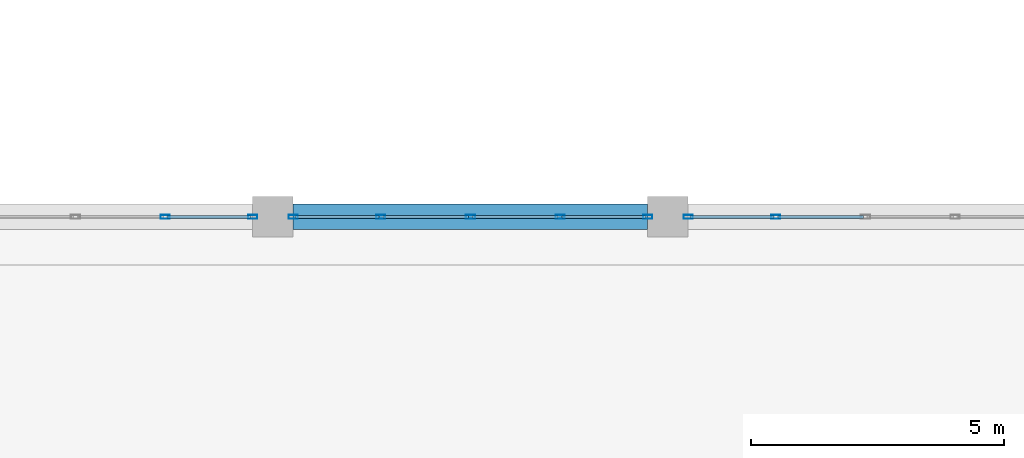
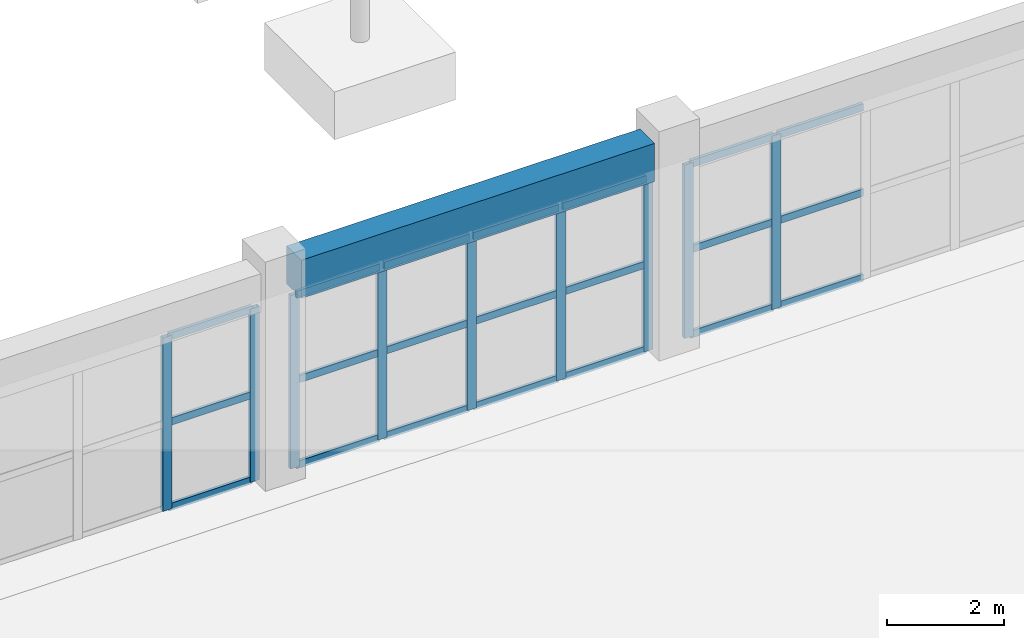
# One storey, part 25 of 139: 30 members, 1 beam, 3 elements without a shape of their own.
"""IFC4 building model written with IfcOpenShell, lengths in metres."""

from ifc_helpers import new_model, si_unit, direction, frame, origin, origin_2d, place, context, subcontext, project, spatial, rectangle, hollow_rectangle, extrude, material, layer, layer_set, material_profile, profile_set, type_object, element, aggregate, save


model = new_model("IFC4")

# Units and contexts
model_context = context("Model", 3, precision=1e-05, world=origin(), true_north=direction((0.0, 1.0)))
body_context = subcontext(model_context, "Body", "Model", "MODEL_VIEW")
ifc_project = project(units=[si_unit("LENGTHUNIT", "METRE"), si_unit("AREAUNIT", "SQUARE_METRE"), si_unit("VOLUMEUNIT", "CUBIC_METRE"), si_unit("PLANEANGLEUNIT", "RADIAN"), si_unit("MASSUNIT", "GRAM", prefix="KILO")], contexts=[model_context])

# Site, building, storey
site_placement = place(None, origin())
site = spatial("IfcSite", under=ifc_project, at=site_placement, CompositionType="ELEMENT")
building_placement = place(site_placement, origin())
building = spatial("IfcBuilding", under=site, at=building_placement, Name="Zizhar Promenade General Hospital", CompositionType="ELEMENT")
storey_placement = place(building_placement, origin())
storey = spatial("IfcBuildingStorey", under=building, at=storey_placement, Name="L00", CompositionType="ELEMENT", Elevation=0.0)

# Beam
ifc_material_1 = material(Name="Concrete C35/45", Category="concrete")
ifc_material_profile_1 = material_profile(ifc_material_1, rectangle(XDim=0.5, YDim=0.800048828125, at=origin_2d()))
ifc_profile_set_1 = profile_set([ifc_material_profile_1], Name="Concrete C35/45")
beam_type = type_object("IfcBeamType", Name="BM-RC-500x800", PredefinedType="BEAM", material=ifc_profile_set_1)
beam_placement = place(storey_placement, frame((78.39990234375, 50.39990234375, 4.070068359375), z_axis=(1.0, 0.0, 0.0), x_axis=(0.0, 1.0, 0.0)))
element("IfcBeam", 1, at=beam_placement, inside=storey, type_object=beam_type, Name="Grid Beam X L00 (10-6)", PredefinedType="BEAM", context=body_context, shape_type="SweptSolid", body=[
    extrude(rectangle(XDim=0.5, YDim=0.800048828125, at=origin_2d()), origin(), (0.0, 0.0, 1.0), 7.0),
])

# Curtain wall, members
ifc_material_2 = material(Name="Anodised aluminium 6063-T6 and low-E glass", Category="aluminium")
ifc_layer = layer(ifc_material_2, 0.159912109375)
ifc_layer_set = layer_set([ifc_layer], Name="Anodised aluminium 6063-T6 and low-E glass")
curtain_wall_type = type_object("IfcCurtainWallType", Name="CW-HALL-N", PredefinedType="NOTDEFINED", material=ifc_layer_set)
curtain_wall_1_placement = place(storey_placement, origin())
curtain_wall_1 = element("IfcCurtainWall", 2, at=curtain_wall_1_placement, inside=storey, type_object=curtain_wall_type, Name="Main Hall Courtyard Curtain Wall L00-9", PredefinedType="NOTDEFINED")
ifc_material_3 = material(Name="Anodised aluminium 6063-T6", Category="aluminium")
ifc_material_profile_2 = material_profile(ifc_material_3, hollow_rectangle(XDim=0.080078125, YDim=0.179931640625, WallThickness=0.0048828125, at=origin_2d()))
ifc_profile_set_2 = profile_set([ifc_material_profile_2], Name="Anodised aluminium 6063-T6")
member_type_1 = type_object("IfcMemberType", Name="CWM-ALU-180x80", PredefinedType="MULLION", material=ifc_profile_set_2)
member_1_placement = place(storey_placement, frame((75.8701171875, 50.39990234375, 0.0), z_axis=(0.0, 0.0, 1.0), x_axis=(0.0, 1.0, 0.0)))
member_1 = element("IfcMember", 3, at=member_1_placement, type_object=member_type_1, Name="CW-02 mullion 4", PredefinedType="MULLION", context=body_context, shape_type="SweptSolid", body=[
    extrude(hollow_rectangle(XDim=0.080078125, YDim=0.179931640625, WallThickness=0.0048828125, at=origin_2d()), origin(), (0.0, 0.0, 1.0), 3.6298828125),
])
member_2_placement = place(storey_placement, frame((77.60009765625, 50.39990234375, 0.0), z_axis=(0.0, 0.0, 1.0), x_axis=(0.0, 1.0, 0.0)))
member_2 = element("IfcMember", 4, at=member_2_placement, type_object=member_type_1, Name="CW-02 mullion 5", PredefinedType="MULLION", context=body_context, shape_type="SweptSolid", body=[
    extrude(hollow_rectangle(XDim=0.080078125, YDim=0.179931640625, WallThickness=0.0048828125, at=origin_2d()), origin(), (0.0, 0.0, 1.0), 3.6298828125),
])

curtain_wall_2_placement = place(storey_placement, origin())
curtain_wall_2 = element("IfcCurtainWall", 5, at=curtain_wall_2_placement, inside=storey, type_object=curtain_wall_type, Name="Main Hall Courtyard Curtain Wall L00-10", PredefinedType="NOTDEFINED")
member_3_placement = place(storey_placement, frame((78.39990234375, 50.39990234375, 0.0), z_axis=(0.0, 0.0, 1.0), x_axis=(0.0, 1.0, 0.0)))
member_3 = element("IfcMember", 6, at=member_3_placement, type_object=member_type_1, Name="CW-02 mullion 1", PredefinedType="MULLION", context=body_context, shape_type="SweptSolid", body=[
    extrude(hollow_rectangle(XDim=0.080078125, YDim=0.179931640625, WallThickness=0.0048828125, at=origin_2d()), origin(), (0.0, 0.0, 1.0), 3.6298828125),
])
member_4_placement = place(storey_placement, frame((80.1298828125, 50.39990234375, 0.0), z_axis=(0.0, 0.0, 1.0), x_axis=(0.0, 1.0, 0.0)))
member_4 = element("IfcMember", 7, at=member_4_placement, type_object=member_type_1, Name="CW-02 mullion 2", PredefinedType="MULLION", context=body_context, shape_type="SweptSolid", body=[
    extrude(hollow_rectangle(XDim=0.080078125, YDim=0.179931640625, WallThickness=0.0048828125, at=origin_2d()), origin(), (0.0, 0.0, 1.0), 3.6298828125),
])
member_5_placement = place(storey_placement, frame((81.89990234375, 50.39990234375, 0.0), z_axis=(0.0, 0.0, 1.0), x_axis=(0.0, 1.0, 0.0)))
member_5 = element("IfcMember", 8, at=member_5_placement, type_object=member_type_1, Name="CW-02 mullion 3", PredefinedType="MULLION", context=body_context, shape_type="SweptSolid", body=[
    extrude(hollow_rectangle(XDim=0.080078125, YDim=0.179931640625, WallThickness=0.0048828125, at=origin_2d()), origin(), (0.0, 0.0, 1.0), 3.6298828125),
])
member_6_placement = place(storey_placement, frame((83.669921875, 50.39990234375, 0.0), z_axis=(0.0, 0.0, 1.0), x_axis=(0.0, 1.0, 0.0)))
member_6 = element("IfcMember", 9, at=member_6_placement, type_object=member_type_1, Name="CW-02 mullion 4", PredefinedType="MULLION", context=body_context, shape_type="SweptSolid", body=[
    extrude(hollow_rectangle(XDim=0.080078125, YDim=0.179931640625, WallThickness=0.0048828125, at=origin_2d()), origin(), (0.0, 0.0, 1.0), 3.6298828125),
])
member_7_placement = place(storey_placement, frame((85.39990234375, 50.39990234375, 0.0), z_axis=(0.0, 0.0, 1.0), x_axis=(0.0, 1.0, 0.0)))
member_7 = element("IfcMember", 10, at=member_7_placement, type_object=member_type_1, Name="CW-02 mullion 5", PredefinedType="MULLION", context=body_context, shape_type="SweptSolid", body=[
    extrude(hollow_rectangle(XDim=0.080078125, YDim=0.179931640625, WallThickness=0.0048828125, at=origin_2d()), origin(), (0.0, 0.0, 1.0), 3.6298828125),
])

curtain_wall_3_placement = place(storey_placement, origin())
curtain_wall_3 = element("IfcCurtainWall", 11, at=curtain_wall_3_placement, inside=storey, type_object=curtain_wall_type, Name="Main Hall Courtyard Curtain Wall L00-11", PredefinedType="NOTDEFINED")
member_8_placement = place(storey_placement, frame((86.199951171875, 50.39990234375, 0.0), z_axis=(0.0, 0.0, 1.0), x_axis=(0.0, 1.0, 0.0)))
member_8 = element("IfcMember", 12, at=member_8_placement, type_object=member_type_1, Name="CW-02 mullion 1", PredefinedType="MULLION", context=body_context, shape_type="SweptSolid", body=[
    extrude(hollow_rectangle(XDim=0.080078125, YDim=0.179931640625, WallThickness=0.0048828125, at=origin_2d()), origin(), (0.0, 0.0, 1.0), 3.6298828125),
])
member_9_placement = place(storey_placement, frame((87.929931640625, 50.39990234375, 0.0), z_axis=(0.0, 0.0, 1.0), x_axis=(0.0, 1.0, 0.0)))
member_9 = element("IfcMember", 13, at=member_9_placement, type_object=member_type_1, Name="CW-02 mullion 2", PredefinedType="MULLION", context=body_context, shape_type="SweptSolid", body=[
    extrude(hollow_rectangle(XDim=0.080078125, YDim=0.179931640625, WallThickness=0.0048828125, at=origin_2d()), origin(), (0.0, 0.0, 1.0), 3.6298828125),
])

# Member
ifc_material_4 = material(Name="Anodised aluminium 6063-T6", Category="aluminium")
ifc_material_profile_3 = material_profile(ifc_material_4, hollow_rectangle(XDim=0.06005859375, YDim=0.14990234375, WallThickness=0.00390625, at=origin_2d()))
ifc_profile_set_3 = profile_set([ifc_material_profile_3], Name="Anodised aluminium 6063-T6")
member_type_2 = type_object("IfcMemberType", Name="CWT-ALU-150x60", PredefinedType="USERDEFINED", material=ifc_profile_set_3)
member_10_placement = place(storey_placement, frame((75.909912109375, 50.39990234375, 0.030029296875), z_axis=(1.0, 0.0, 0.0), x_axis=(0.0, 1.0, 0.0)))
member_10 = element("IfcMember", 14, at=member_10_placement, type_object=member_type_2, Name="CW-02 transom 4.1", ObjectType="TRANSOM", PredefinedType="USERDEFINED", context=body_context, shape_type="SweptSolid", body=[
    extrude(hollow_rectangle(XDim=0.06005859375, YDim=0.14990234375, WallThickness=0.00390625, at=origin_2d()), origin(), (0.0, 0.0, 1.0), 1.650146484375),
])

member_11_placement = place(storey_placement, frame((75.909912109375, 50.39990234375, 1.81494140625), z_axis=(1.0, 0.0, 0.0), x_axis=(0.0, 1.0, 0.0)))
member_11 = element("IfcMember", 15, at=member_11_placement, type_object=member_type_2, Name="CW-02 transom 4.2", ObjectType="TRANSOM", PredefinedType="USERDEFINED", context=body_context, shape_type="SweptSolid", body=[
    extrude(hollow_rectangle(XDim=0.06005859375, YDim=0.14990234375, WallThickness=0.00390625, at=origin_2d()), origin(), (0.0, 0.0, 1.0), 1.650146484375),
])

member_12_placement = place(storey_placement, frame((75.909912109375, 50.39990234375, 3.60009765625), z_axis=(1.0, 0.0, 0.0), x_axis=(0.0, 1.0, 0.0)))
member_12 = element("IfcMember", 16, at=member_12_placement, type_object=member_type_2, Name="CW-02 transom 4.3", ObjectType="TRANSOM", PredefinedType="USERDEFINED", context=body_context, shape_type="SweptSolid", body=[
    extrude(hollow_rectangle(XDim=0.06005859375, YDim=0.14990234375, WallThickness=0.00390625, at=origin_2d()), origin(), (0.0, 0.0, 1.0), 1.650146484375),
])

aggregate(curtain_wall_1, [member_1, member_2, member_10, member_11, member_12])

member_13_placement = place(storey_placement, frame((78.43994140625, 50.39990234375, 0.030029296875), z_axis=(1.0, 0.0, 0.0), x_axis=(0.0, 1.0, 0.0)))
member_13 = element("IfcMember", 17, at=member_13_placement, type_object=member_type_2, Name="CW-02 transom 1.1", ObjectType="TRANSOM", PredefinedType="USERDEFINED", context=body_context, shape_type="SweptSolid", body=[
    extrude(hollow_rectangle(XDim=0.06005859375, YDim=0.14990234375, WallThickness=0.00390625, at=origin_2d()), origin(), (0.0, 0.0, 1.0), 1.650146484375),
])

member_14_placement = place(storey_placement, frame((78.43994140625, 50.39990234375, 1.81494140625), z_axis=(1.0, 0.0, 0.0), x_axis=(0.0, 1.0, 0.0)))
member_14 = element("IfcMember", 18, at=member_14_placement, type_object=member_type_2, Name="CW-02 transom 1.2", ObjectType="TRANSOM", PredefinedType="USERDEFINED", context=body_context, shape_type="SweptSolid", body=[
    extrude(hollow_rectangle(XDim=0.06005859375, YDim=0.14990234375, WallThickness=0.00390625, at=origin_2d()), origin(), (0.0, 0.0, 1.0), 1.650146484375),
])

member_15_placement = place(storey_placement, frame((78.43994140625, 50.39990234375, 3.60009765625), z_axis=(1.0, 0.0, 0.0), x_axis=(0.0, 1.0, 0.0)))
member_15 = element("IfcMember", 19, at=member_15_placement, type_object=member_type_2, Name="CW-02 transom 1.3", ObjectType="TRANSOM", PredefinedType="USERDEFINED", context=body_context, shape_type="SweptSolid", body=[
    extrude(hollow_rectangle(XDim=0.06005859375, YDim=0.14990234375, WallThickness=0.00390625, at=origin_2d()), origin(), (0.0, 0.0, 1.0), 1.650146484375),
])

member_16_placement = place(storey_placement, frame((80.169921875, 50.39990234375, 0.030029296875), z_axis=(1.0, 0.0, 0.0), x_axis=(0.0, 1.0, 0.0)))
member_16 = element("IfcMember", 20, at=member_16_placement, type_object=member_type_2, Name="CW-02 transom 2.1", ObjectType="TRANSOM", PredefinedType="USERDEFINED", context=body_context, shape_type="SweptSolid", body=[
    extrude(hollow_rectangle(XDim=0.06005859375, YDim=0.14990234375, WallThickness=0.00390625, at=origin_2d()), origin(), (0.0, 0.0, 1.0), 1.690185546875),
])

member_17_placement = place(storey_placement, frame((80.169921875, 50.39990234375, 1.81494140625), z_axis=(1.0, 0.0, 0.0), x_axis=(0.0, 1.0, 0.0)))
member_17 = element("IfcMember", 21, at=member_17_placement, type_object=member_type_2, Name="CW-02 transom 2.2", ObjectType="TRANSOM", PredefinedType="USERDEFINED", context=body_context, shape_type="SweptSolid", body=[
    extrude(hollow_rectangle(XDim=0.06005859375, YDim=0.14990234375, WallThickness=0.00390625, at=origin_2d()), origin(), (0.0, 0.0, 1.0), 1.690185546875),
])

member_18_placement = place(storey_placement, frame((80.169921875, 50.39990234375, 3.60009765625), z_axis=(1.0, 0.0, 0.0), x_axis=(0.0, 1.0, 0.0)))
member_18 = element("IfcMember", 22, at=member_18_placement, type_object=member_type_2, Name="CW-02 transom 2.3", ObjectType="TRANSOM", PredefinedType="USERDEFINED", context=body_context, shape_type="SweptSolid", body=[
    extrude(hollow_rectangle(XDim=0.06005859375, YDim=0.14990234375, WallThickness=0.00390625, at=origin_2d()), origin(), (0.0, 0.0, 1.0), 1.690185546875),
])

member_19_placement = place(storey_placement, frame((81.93994140625, 50.39990234375, 0.030029296875), z_axis=(1.0, 0.0, 0.0), x_axis=(0.0, 1.0, 0.0)))
member_19 = element("IfcMember", 23, at=member_19_placement, type_object=member_type_2, Name="CW-02 transom 3.1", ObjectType="TRANSOM", PredefinedType="USERDEFINED", context=body_context, shape_type="SweptSolid", body=[
    extrude(hollow_rectangle(XDim=0.06005859375, YDim=0.14990234375, WallThickness=0.00390625, at=origin_2d()), origin(), (0.0, 0.0, 1.0), 1.68994140625),
])

member_20_placement = place(storey_placement, frame((81.93994140625, 50.39990234375, 1.81494140625), z_axis=(1.0, 0.0, 0.0), x_axis=(0.0, 1.0, 0.0)))
member_20 = element("IfcMember", 24, at=member_20_placement, type_object=member_type_2, Name="CW-02 transom 3.2", ObjectType="TRANSOM", PredefinedType="USERDEFINED", context=body_context, shape_type="SweptSolid", body=[
    extrude(hollow_rectangle(XDim=0.06005859375, YDim=0.14990234375, WallThickness=0.00390625, at=origin_2d()), origin(), (0.0, 0.0, 1.0), 1.68994140625),
])

member_21_placement = place(storey_placement, frame((81.93994140625, 50.39990234375, 3.60009765625), z_axis=(1.0, 0.0, 0.0), x_axis=(0.0, 1.0, 0.0)))
member_21 = element("IfcMember", 25, at=member_21_placement, type_object=member_type_2, Name="CW-02 transom 3.3", ObjectType="TRANSOM", PredefinedType="USERDEFINED", context=body_context, shape_type="SweptSolid", body=[
    extrude(hollow_rectangle(XDim=0.06005859375, YDim=0.14990234375, WallThickness=0.00390625, at=origin_2d()), origin(), (0.0, 0.0, 1.0), 1.68994140625),
])

member_22_placement = place(storey_placement, frame((83.7099609375, 50.39990234375, 0.030029296875), z_axis=(1.0, 0.0, 0.0), x_axis=(0.0, 1.0, 0.0)))
member_22 = element("IfcMember", 26, at=member_22_placement, type_object=member_type_2, Name="CW-02 transom 4.1", ObjectType="TRANSOM", PredefinedType="USERDEFINED", context=body_context, shape_type="SweptSolid", body=[
    extrude(hollow_rectangle(XDim=0.06005859375, YDim=0.14990234375, WallThickness=0.00390625, at=origin_2d()), origin(), (0.0, 0.0, 1.0), 1.650146484375),
])

member_23_placement = place(storey_placement, frame((83.7099609375, 50.39990234375, 1.81494140625), z_axis=(1.0, 0.0, 0.0), x_axis=(0.0, 1.0, 0.0)))
member_23 = element("IfcMember", 27, at=member_23_placement, type_object=member_type_2, Name="CW-02 transom 4.2", ObjectType="TRANSOM", PredefinedType="USERDEFINED", context=body_context, shape_type="SweptSolid", body=[
    extrude(hollow_rectangle(XDim=0.06005859375, YDim=0.14990234375, WallThickness=0.00390625, at=origin_2d()), origin(), (0.0, 0.0, 1.0), 1.650146484375),
])

member_24_placement = place(storey_placement, frame((83.7099609375, 50.39990234375, 3.60009765625), z_axis=(1.0, 0.0, 0.0), x_axis=(0.0, 1.0, 0.0)))
member_24 = element("IfcMember", 28, at=member_24_placement, type_object=member_type_2, Name="CW-02 transom 4.3", ObjectType="TRANSOM", PredefinedType="USERDEFINED", context=body_context, shape_type="SweptSolid", body=[
    extrude(hollow_rectangle(XDim=0.06005859375, YDim=0.14990234375, WallThickness=0.00390625, at=origin_2d()), origin(), (0.0, 0.0, 1.0), 1.650146484375),
])

aggregate(curtain_wall_2, [member_3, member_4, member_5, member_6, member_7, member_13, member_14, member_15, member_16, member_17, member_18, member_19, member_20, member_21, member_22, member_23, member_24])

member_25_placement = place(storey_placement, frame((86.239990234375, 50.39990234375, 0.030029296875), z_axis=(1.0, 0.0, 0.0), x_axis=(0.0, 1.0, 0.0)))
member_25 = element("IfcMember", 29, at=member_25_placement, type_object=member_type_2, Name="CW-02 transom 1.1", ObjectType="TRANSOM", PredefinedType="USERDEFINED", context=body_context, shape_type="SweptSolid", body=[
    extrude(hollow_rectangle(XDim=0.06005859375, YDim=0.14990234375, WallThickness=0.00390625, at=origin_2d()), origin(), (0.0, 0.0, 1.0), 1.64990234375),
])

member_26_placement = place(storey_placement, frame((86.239990234375, 50.39990234375, 1.81494140625), z_axis=(1.0, 0.0, 0.0), x_axis=(0.0, 1.0, 0.0)))
member_26 = element("IfcMember", 30, at=member_26_placement, type_object=member_type_2, Name="CW-02 transom 1.2", ObjectType="TRANSOM", PredefinedType="USERDEFINED", context=body_context, shape_type="SweptSolid", body=[
    extrude(hollow_rectangle(XDim=0.06005859375, YDim=0.14990234375, WallThickness=0.00390625, at=origin_2d()), origin(), (0.0, 0.0, 1.0), 1.64990234375),
])

member_27_placement = place(storey_placement, frame((86.239990234375, 50.39990234375, 3.60009765625), z_axis=(1.0, 0.0, 0.0), x_axis=(0.0, 1.0, 0.0)))
member_27 = element("IfcMember", 31, at=member_27_placement, type_object=member_type_2, Name="CW-02 transom 1.3", ObjectType="TRANSOM", PredefinedType="USERDEFINED", context=body_context, shape_type="SweptSolid", body=[
    extrude(hollow_rectangle(XDim=0.06005859375, YDim=0.14990234375, WallThickness=0.00390625, at=origin_2d()), origin(), (0.0, 0.0, 1.0), 1.64990234375),
])

member_28_placement = place(storey_placement, frame((87.969970703125, 50.39990234375, 0.030029296875), z_axis=(1.0, 0.0, 0.0), x_axis=(0.0, 1.0, 0.0)))
member_28 = element("IfcMember", 32, at=member_28_placement, type_object=member_type_2, Name="CW-02 transom 2.1", ObjectType="TRANSOM", PredefinedType="USERDEFINED", context=body_context, shape_type="SweptSolid", body=[
    extrude(hollow_rectangle(XDim=0.06005859375, YDim=0.14990234375, WallThickness=0.00390625, at=origin_2d()), origin(), (0.0, 0.0, 1.0), 1.68994140625),
])

member_29_placement = place(storey_placement, frame((87.969970703125, 50.39990234375, 1.81494140625), z_axis=(1.0, 0.0, 0.0), x_axis=(0.0, 1.0, 0.0)))
member_29 = element("IfcMember", 33, at=member_29_placement, type_object=member_type_2, Name="CW-02 transom 2.2", ObjectType="TRANSOM", PredefinedType="USERDEFINED", context=body_context, shape_type="SweptSolid", body=[
    extrude(hollow_rectangle(XDim=0.06005859375, YDim=0.14990234375, WallThickness=0.00390625, at=origin_2d()), origin(), (0.0, 0.0, 1.0), 1.68994140625),
])

member_30_placement = place(storey_placement, frame((87.969970703125, 50.39990234375, 3.60009765625), z_axis=(1.0, 0.0, 0.0), x_axis=(0.0, 1.0, 0.0)))
member_30 = element("IfcMember", 34, at=member_30_placement, type_object=member_type_2, Name="CW-02 transom 2.3", ObjectType="TRANSOM", PredefinedType="USERDEFINED", context=body_context, shape_type="SweptSolid", body=[
    extrude(hollow_rectangle(XDim=0.06005859375, YDim=0.14990234375, WallThickness=0.00390625, at=origin_2d()), origin(), (0.0, 0.0, 1.0), 1.68994140625),
])

aggregate(curtain_wall_3, [member_8, member_9, member_25, member_26, member_27, member_28, member_29, member_30])

save(model, "model.ifc")
